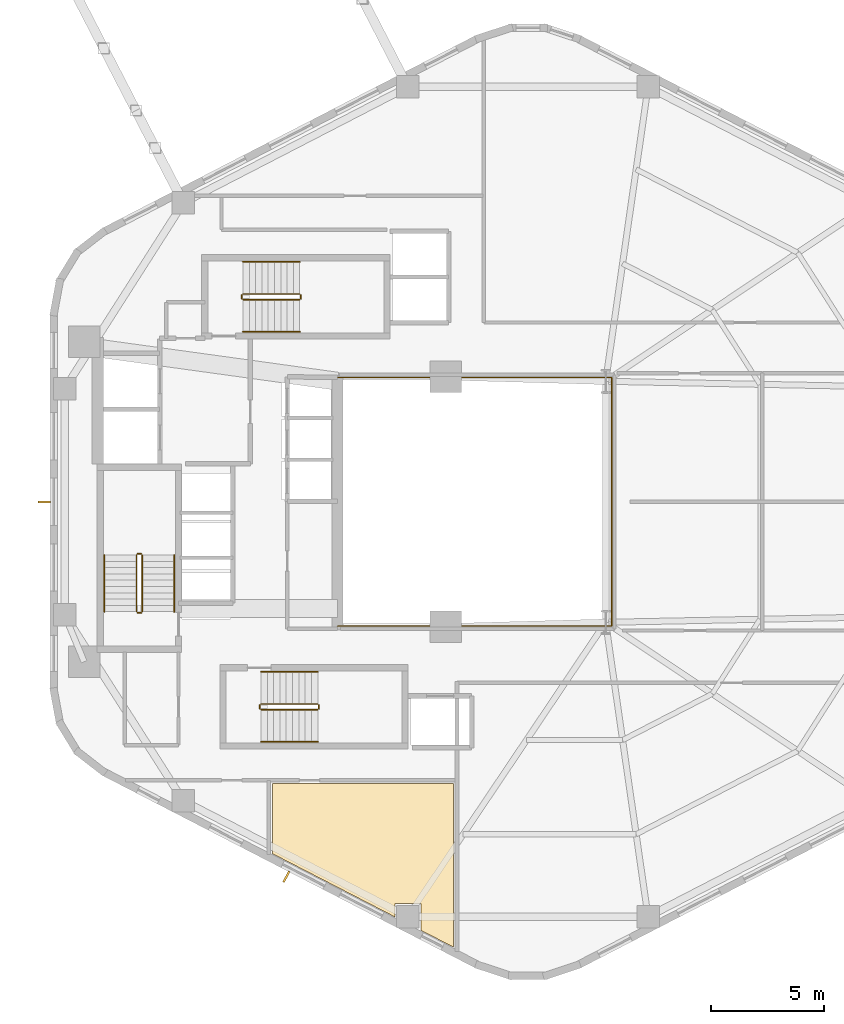
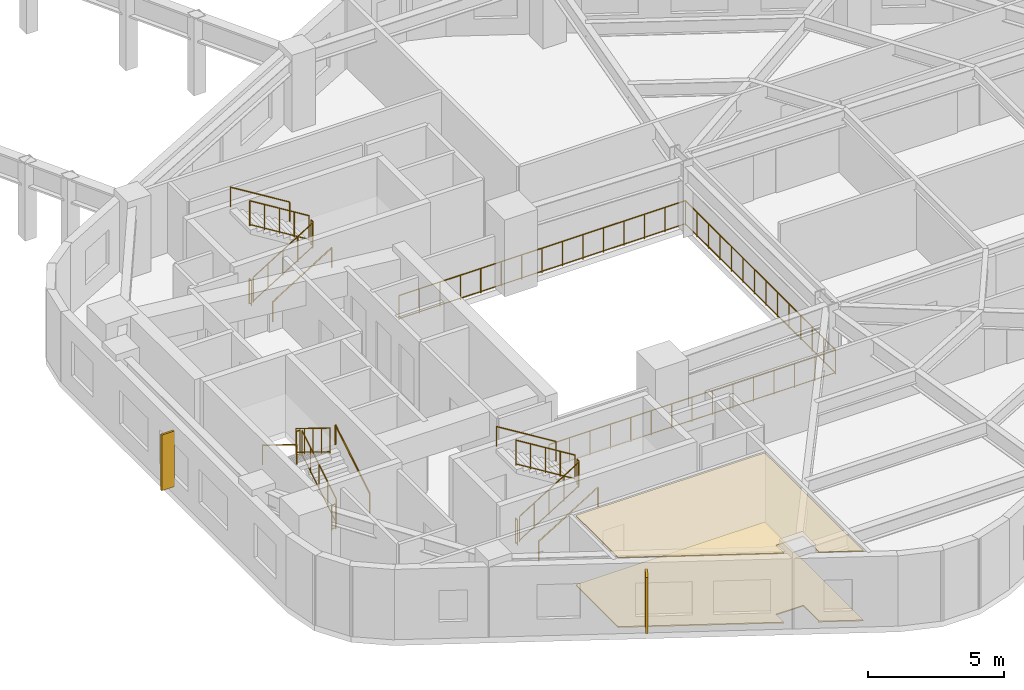
# One storey, part 6 of 6: 19 railings, 2 coverings, 2 shading devices.
"""IFC4 building model written with IfcOpenShell, lengths in metres."""

from ifc_helpers import new_model, si_unit, direction, frame, origin, origin_2d, place, context, subcontext, project, spatial, polyline, rectangle, circle, outline, extrude, material, layer, layer_set, type_object, element, save


model = new_model("IFC4")

# Units and contexts
model_context = context("Model", 3, precision=1e-05, world=origin(), true_north=direction((0.0, 1.0)))
body_context = subcontext(model_context, "Body", "Model", "MODEL_VIEW")
ifc_project = project(units=[si_unit("LENGTHUNIT", "METRE"), si_unit("AREAUNIT", "SQUARE_METRE"), si_unit("VOLUMEUNIT", "CUBIC_METRE"), si_unit("PLANEANGLEUNIT", "RADIAN"), si_unit("MASSUNIT", "GRAM", prefix="KILO"), si_unit("THERMODYNAMICTEMPERATUREUNIT", "KELVIN"), si_unit("POWERUNIT", "WATT")], contexts=[model_context])

# Site, building, storey
site_placement = place(None, origin())
site = spatial("IfcSite", under=ifc_project, at=site_placement, CompositionType="ELEMENT")
building_placement = place(site_placement, origin())
building = spatial("IfcBuilding", under=site, at=building_placement, Name="Skarre Station Tower", CompositionType="ELEMENT")
storey_placement = place(building_placement, frame((0.0, 0.0, 136.050048828125)))
storey = spatial("IfcBuildingStorey", under=building, at=storey_placement, Name="L36", CompositionType="ELEMENT", Elevation=136.050048828125)

# Railing
ifc_material_1 = material(Name="Bronze Anodized Steel & Laminated Glass Balustrade", Category="steel")
railing_type_1 = type_object("IfcRailingType", Name="Atrium Void & Mezzanine Guard Balustrade 1120", PredefinedType="GUARDRAIL", material=ifc_material_1)
railing_1_placement = place(storey_placement, frame((27.550048828125, 18.47998046875, 0.0)))
element("IfcRailing", 1, at=railing_1_placement, inside=storey, type_object=railing_type_1, Name="L36 Atrium Void Guard Balustrade", PredefinedType="GUARDRAIL", context=body_context, shape_type="SweptSolid", body=[
    extrude(circle(Radius=0.02392578125, at=origin_2d()), frame((0.0, 0.0, 1.09619140625), z_axis=(1.0, 0.0, 0.0), x_axis=(0.0, 1.0, 0.0)), (0.0, 0.0, 1.0), 12.169921875),
    extrude(circle(Radius=0.02099609375, at=origin_2d()), frame((0.0, 0.0, 0.06005859375), z_axis=(1.0, 0.0, 0.0), x_axis=(0.0, 1.0, 0.0)), (0.0, 0.0, 1.0), 12.169921875),
    extrude(circle(Radius=0.02392578125, at=origin_2d()), frame((12.169921875, 0.0, 1.09619140625), z_axis=(0.0, 1.0, 0.0), x_axis=(-1.0, 0.0, 0.0)), (0.0, 0.0, 1.0), 11.0400390625),
    extrude(circle(Radius=0.02099609375, at=origin_2d()), frame((12.169921875, 0.0, 0.06005859375), z_axis=(0.0, 1.0, 0.0), x_axis=(-1.0, 0.0, 0.0)), (0.0, 0.0, 1.0), 11.0400390625),
    extrude(circle(Radius=0.02392578125, at=origin_2d()), frame((12.169921875, 11.0400390625, 1.09619140625), z_axis=(-1.0, 0.0, 0.0), x_axis=(0.0, -1.0, 0.0)), (0.0, 0.0, 1.0), 12.169921875),
    extrude(circle(Radius=0.02099609375, at=origin_2d()), frame((12.169921875, 11.0400390625, 0.06005859375), z_axis=(-1.0, 0.0, 0.0), x_axis=(0.0, -1.0, 0.0)), (0.0, 0.0, 1.0), 12.169921875),
    extrude(circle(Radius=0.02099609375, at=origin_2d()), origin(), (0.0, 0.0, 1.0), 1.072021484375),
    extrude(circle(Radius=0.02099609375, at=origin_2d()), frame((0.869384765625, 0.0, 0.0)), (0.0, 0.0, 1.0), 1.072021484375),
    extrude(circle(Radius=0.02099609375, at=origin_2d()), frame((1.738525390625, 0.0, 0.0)), (0.0, 0.0, 1.0), 1.072021484375),
    extrude(circle(Radius=0.02099609375, at=origin_2d()), frame((2.60791015625, 0.0, 0.0)), (0.0, 0.0, 1.0), 1.072021484375),
    extrude(circle(Radius=0.02099609375, at=origin_2d()), frame((3.47705078125, 0.0, 0.0)), (0.0, 0.0, 1.0), 1.072021484375),
    extrude(circle(Radius=0.02099609375, at=origin_2d()), frame((4.346435546875, 0.0, 0.0)), (0.0, 0.0, 1.0), 1.072021484375),
    extrude(circle(Radius=0.02099609375, at=origin_2d()), frame((5.215576171875, 0.0, 0.0)), (0.0, 0.0, 1.0), 1.072021484375),
    extrude(circle(Radius=0.02099609375, at=origin_2d()), frame((6.0849609375, 0.0, 0.0)), (0.0, 0.0, 1.0), 1.072021484375),
    extrude(circle(Radius=0.02099609375, at=origin_2d()), frame((6.954345703125, 0.0, 0.0)), (0.0, 0.0, 1.0), 1.072021484375),
    extrude(circle(Radius=0.02099609375, at=origin_2d()), frame((7.823486328125, 0.0, 0.0)), (0.0, 0.0, 1.0), 1.072021484375),
    extrude(circle(Radius=0.02099609375, at=origin_2d()), frame((8.69287109375, 0.0, 0.0)), (0.0, 0.0, 1.0), 1.072021484375),
    extrude(circle(Radius=0.02099609375, at=origin_2d()), frame((9.56201171875, 0.0, 0.0)), (0.0, 0.0, 1.0), 1.072021484375),
    extrude(circle(Radius=0.02099609375, at=origin_2d()), frame((10.431396484375, 0.0, 0.0)), (0.0, 0.0, 1.0), 1.072021484375),
    extrude(circle(Radius=0.02099609375, at=origin_2d()), frame((11.300537109375, 0.0, 0.0)), (0.0, 0.0, 1.0), 1.072021484375),
    extrude(circle(Radius=0.02099609375, at=origin_2d()), frame((12.169921875, 0.0, 0.0)), (0.0, 0.0, 1.0), 1.072021484375),
    extrude(circle(Radius=0.02099609375, at=origin_2d()), frame((12.169921875, 0.84912109375, 0.0)), (0.0, 0.0, 1.0), 1.072021484375),
    extrude(circle(Radius=0.02099609375, at=origin_2d()), frame((12.169921875, 1.698486328125, 0.0)), (0.0, 0.0, 1.0), 1.072021484375),
    extrude(circle(Radius=0.02099609375, at=origin_2d()), frame((12.169921875, 2.547607421875, 0.0)), (0.0, 0.0, 1.0), 1.072021484375),
    extrude(circle(Radius=0.02099609375, at=origin_2d()), frame((12.169921875, 3.39697265625, 0.0)), (0.0, 0.0, 1.0), 1.072021484375),
    extrude(circle(Radius=0.02099609375, at=origin_2d()), frame((12.169921875, 4.24609375, 0.0)), (0.0, 0.0, 1.0), 1.072021484375),
    extrude(circle(Radius=0.02099609375, at=origin_2d()), frame((12.169921875, 5.095458984375, 0.0)), (0.0, 0.0, 1.0), 1.072021484375),
    extrude(circle(Radius=0.02099609375, at=origin_2d()), frame((12.169921875, 5.944580078125, 0.0)), (0.0, 0.0, 1.0), 1.072021484375),
    extrude(circle(Radius=0.02099609375, at=origin_2d()), frame((12.169921875, 6.7939453125, 0.0)), (0.0, 0.0, 1.0), 1.072021484375),
    extrude(circle(Radius=0.02099609375, at=origin_2d()), frame((12.169921875, 7.64306640625, 0.0)), (0.0, 0.0, 1.0), 1.072021484375),
    extrude(circle(Radius=0.02099609375, at=origin_2d()), frame((12.169921875, 8.492431640625, 0.0)), (0.0, 0.0, 1.0), 1.072021484375),
    extrude(circle(Radius=0.02099609375, at=origin_2d()), frame((12.169921875, 9.341552734375, 0.0)), (0.0, 0.0, 1.0), 1.072021484375),
    extrude(circle(Radius=0.02099609375, at=origin_2d()), frame((12.169921875, 10.19091796875, 0.0)), (0.0, 0.0, 1.0), 1.072021484375),
    extrude(circle(Radius=0.02099609375, at=origin_2d()), frame((12.169921875, 11.0400390625, 0.0)), (0.0, 0.0, 1.0), 1.072021484375),
    extrude(circle(Radius=0.02099609375, at=origin_2d()), frame((11.300537109375, 11.0400390625, 0.0)), (0.0, 0.0, 1.0), 1.072021484375),
    extrude(circle(Radius=0.02099609375, at=origin_2d()), frame((10.431396484375, 11.0400390625, 0.0)), (0.0, 0.0, 1.0), 1.072021484375),
    extrude(circle(Radius=0.02099609375, at=origin_2d()), frame((9.56201171875, 11.0400390625, 0.0)), (0.0, 0.0, 1.0), 1.072021484375),
    extrude(circle(Radius=0.02099609375, at=origin_2d()), frame((8.69287109375, 11.0400390625, 0.0)), (0.0, 0.0, 1.0), 1.072021484375),
    extrude(circle(Radius=0.02099609375, at=origin_2d()), frame((7.823486328125, 11.0400390625, 0.0)), (0.0, 0.0, 1.0), 1.072021484375),
    extrude(circle(Radius=0.02099609375, at=origin_2d()), frame((6.954345703125, 11.0400390625, 0.0)), (0.0, 0.0, 1.0), 1.072021484375),
    extrude(circle(Radius=0.02099609375, at=origin_2d()), frame((6.0849609375, 11.0400390625, 0.0)), (0.0, 0.0, 1.0), 1.072021484375),
    extrude(circle(Radius=0.02099609375, at=origin_2d()), frame((5.215576171875, 11.0400390625, 0.0)), (0.0, 0.0, 1.0), 1.072021484375),
    extrude(circle(Radius=0.02099609375, at=origin_2d()), frame((4.346435546875, 11.0400390625, 0.0)), (0.0, 0.0, 1.0), 1.072021484375),
    extrude(circle(Radius=0.02099609375, at=origin_2d()), frame((3.47705078125, 11.0400390625, 0.0)), (0.0, 0.0, 1.0), 1.072021484375),
    extrude(circle(Radius=0.02099609375, at=origin_2d()), frame((2.60791015625, 11.0400390625, 0.0)), (0.0, 0.0, 1.0), 1.072021484375),
    extrude(circle(Radius=0.02099609375, at=origin_2d()), frame((1.738525390625, 11.0400390625, 0.0)), (0.0, 0.0, 1.0), 1.072021484375),
    extrude(circle(Radius=0.02099609375, at=origin_2d()), frame((0.869384765625, 11.0400390625, 0.0)), (0.0, 0.0, 1.0), 1.072021484375),
    extrude(circle(Radius=0.02099609375, at=origin_2d()), frame((0.0, 11.0400390625, 0.0)), (0.0, 0.0, 1.0), 1.072021484375),
])

# Coverings
ifc_material_2 = material(Name="Honed Jura Limestone & Calcium-Sulfate Access Tile", Category="masonry")
ifc_layer_1 = layer(ifc_material_2, 0.050048828125, Name="Honed Jura Limestone & Calcium-Sulfate Access Tile")
ifc_layer_set_1 = layer_set([ifc_layer_1], Name="Honed Jura Limestone & Calcium-Sulfate Access Tile")
covering_type_1 = type_object("IfcCoveringType", Name="Honed Limestone & Raised Access Floor Finish 50", PredefinedType="FLOORING", material=ifc_layer_set_1)
covering_1_placement = place(storey_placement, origin())
element("IfcCovering", 2, at=covering_1_placement, inside=storey, type_object=covering_type_1, Name="L36 Limestone Access Flooring 1", PredefinedType="FLOORING", context=body_context, shape_type="SweptSolid", body=[
    extrude(outline(polyline([(24.659912109375, 8.3798828125), (30.089111328125, 5.577880859375), (30.089111328125, 6.162109375), (31.2490234375, 6.162109375), (31.2490234375, 5.001953125), (31.205078125, 5.001953125), (32.68994140625, 4.235107421875), (32.68994140625, 11.5), (24.659912109375, 11.5), (24.659912109375, 8.3798828125)])), origin(), (0.0, 0.0, 1.0), 0.050048828125),
])
ifc_material_3 = material(Name="Perforated Nordic Birch Veneer & Mineral Wool", Category="wood")
ifc_layer_2 = layer(ifc_material_3, 0.044921875, Name="Perforated Nordic Birch Veneer & Mineral Wool")
ifc_layer_set_2 = layer_set([ifc_layer_2], Name="Perforated Nordic Birch Veneer & Mineral Wool")
covering_type_2 = type_object("IfcCoveringType", Name="Nordic Birch Slatted Acoustic Suspended Ceiling 45", PredefinedType="CEILING", material=ifc_layer_set_2)
covering_2_placement = place(storey_placement, frame((0.0, 0.0, 3.114990234375)))
element("IfcCovering", 3, at=covering_2_placement, inside=storey, type_object=covering_type_2, Name="L36 Acoustic Birch Ceiling 1", PredefinedType="CEILING", context=body_context, shape_type="SweptSolid", body=[
    extrude(outline(polyline([(24.659912109375, 8.3798828125), (30.089111328125, 5.577880859375), (30.089111328125, 6.162109375), (31.2490234375, 6.162109375), (31.2490234375, 5.001953125), (31.205078125, 5.001953125), (32.68994140625, 4.235107421875), (32.68994140625, 11.5), (24.659912109375, 11.5), (24.659912109375, 8.3798828125)])), origin(), (0.0, 0.0, 1.0), 0.044921875),
])

# Shading devices
ifc_material_4 = material(Name="Bronze Anodized Extruded Aluminium 6063-T6", Category="aluminium")
shading_device_type = type_object("IfcShadingDeviceType", Name="Nordic Bronze Vertical Solar Fin 550x90", PredefinedType="SHUTTER", material=ifc_material_4)
for number, where, z_axis, x_axis, name in (
    (4, (14.531982421875, 24.0, 0.349853515625), (0.0, 0.0, 1.0), (-1.0, 0.0, 0.0), "L36 Facet 2 Bronze Solar Fin"),
    (5, (25.27587890625, 7.35302734375, 0.349853515625), (0.0, 0.0, 1.0), (-0.458649554484, -0.888617232655, 0.0), "L36 Facet 3 Bronze Solar Fin"),
):
    element("IfcShadingDevice", number, at=place(storey_placement, frame(where, z_axis=z_axis, x_axis=x_axis)), inside=storey, type_object=shading_device_type, Name=name, PredefinedType="SHUTTER", context=body_context, shape_type="SweptSolid", body=[
        extrude(rectangle(XDim=0.550048828125, YDim=0.090087890625, at=origin_2d()), origin(), (0.0, 0.0, 1.0), 2.5),
    ])

# Railings
ifc_material_5 = material(Name="Powder-Coated Tubular Steel", Category="steel")
railing_type_2 = type_object("IfcRailingType", Name="Painted Steel Ramp & Stair Handrail 920", PredefinedType="HANDRAIL", material=ifc_material_5)
railing_2_placement = place(storey_placement, frame((20.300048828125, 19.1201171875, 0.17236328125)))
element("IfcRailing", 6, at=railing_2_placement, inside=storey, type_object=railing_type_2, Name="L36 ST-1 stair handrail 1", PredefinedType="HANDRAIL", context=body_context, shape_type="SweptSolid", body=[
    extrude(circle(Radius=0.02392578125, at=origin_2d()), frame((0.0, 0.0, 0.8759765625), z_axis=(0.0, 0.851377800117, 0.52455299205), x_axis=(-1.0, 0.0, 0.0)), (0.0, 0.0, 1.0), 2.959716796875),
    extrude(circle(Radius=0.02099609375, at=origin_2d()), origin(), (0.0, 0.0, 1.0), 0.851806640625),
    extrude(circle(Radius=0.02099609375, at=origin_2d()), frame((0.0, 2.519775390625, 1.552490234375)), (0.0, 0.0, 1.0), 0.851806640625),
])
railing_3_placement = place(storey_placement, frame((17.199951171875, 21.639892578125, 1.8974609375)))
element("IfcRailing", 7, at=railing_3_placement, inside=storey, type_object=railing_type_2, Name="L36 ST-1 stair handrail 2", PredefinedType="HANDRAIL", context=body_context, shape_type="SweptSolid", body=[
    extrude(circle(Radius=0.02392578125, at=origin_2d()), frame((0.0, 0.0, 0.8759765625), z_axis=(0.0, -0.851377800117, 0.52455299205), x_axis=(1.0, 0.0, 0.0)), (0.0, 0.0, 1.0), 2.959716796875),
    extrude(circle(Radius=0.02099609375, at=origin_2d()), origin(), (0.0, 0.0, 1.0), 0.851806640625),
    extrude(circle(Radius=0.02099609375, at=origin_2d()), frame((0.0, -2.519775390625, 1.552490234375)), (0.0, 0.0, 1.0), 0.851806640625),
])
railing_4_placement = place(storey_placement, frame((24.14990234375, 13.35009765625, 0.17236328125)))
element("IfcRailing", 8, at=railing_4_placement, inside=storey, type_object=railing_type_2, Name="L36 ST-2 stair handrail 1", PredefinedType="HANDRAIL", context=body_context, shape_type="SweptSolid", body=[
    extrude(circle(Radius=0.02392578125, at=origin_2d()), frame((0.0, 0.0, 0.8759765625), z_axis=(0.851400495292, 0.0, 0.524516154772), x_axis=(0.0, 1.0, 0.0)), (0.0, 0.0, 1.0), 2.9599609375),
    extrude(circle(Radius=0.02099609375, at=origin_2d()), origin(), (0.0, 0.0, 1.0), 0.851806640625),
    extrude(circle(Radius=0.02099609375, at=origin_2d()), frame((2.52001953125, 0.0, 1.552490234375)), (0.0, 0.0, 1.0), 0.851806640625),
])
railing_5_placement = place(storey_placement, frame((26.669921875, 16.449951171875, 1.8974609375)))
element("IfcRailing", 9, at=railing_5_placement, inside=storey, type_object=railing_type_2, Name="L36 ST-2 stair handrail 2", PredefinedType="HANDRAIL", context=body_context, shape_type="SweptSolid", body=[
    extrude(circle(Radius=0.02392578125, at=origin_2d()), frame((0.0, 0.0, 0.8759765625), z_axis=(-0.851400495292, 0.0, 0.524516154772), x_axis=(0.0, -1.0, 0.0)), (0.0, 0.0, 1.0), 2.9599609375),
    extrude(circle(Radius=0.02099609375, at=origin_2d()), origin(), (0.0, 0.0, 1.0), 0.851806640625),
    extrude(circle(Radius=0.02099609375, at=origin_2d()), frame((-2.52001953125, 0.0, 1.552490234375)), (0.0, 0.0, 1.0), 0.851806640625),
])
railing_6_placement = place(storey_placement, frame((23.35009765625, 31.550048828125, 0.17236328125)))
element("IfcRailing", 10, at=railing_6_placement, inside=storey, type_object=railing_type_2, Name="L36 ST-3 stair handrail 1", PredefinedType="HANDRAIL", context=body_context, shape_type="SweptSolid", body=[
    extrude(circle(Radius=0.02392578125, at=origin_2d()), frame((0.0, 0.0, 0.8759765625), z_axis=(0.851400495292, 0.0, 0.524516154772), x_axis=(0.0, 1.0, 0.0)), (0.0, 0.0, 1.0), 2.9599609375),
    extrude(circle(Radius=0.02099609375, at=origin_2d()), origin(), (0.0, 0.0, 1.0), 0.851806640625),
    extrude(circle(Radius=0.02099609375, at=origin_2d()), frame((2.52001953125, 0.0, 1.552490234375)), (0.0, 0.0, 1.0), 0.851806640625),
])
railing_7_placement = place(storey_placement, frame((25.8701171875, 34.64990234375, 1.8974609375)))
element("IfcRailing", 11, at=railing_7_placement, inside=storey, type_object=railing_type_2, Name="L36 ST-3 stair handrail 2", PredefinedType="HANDRAIL", context=body_context, shape_type="SweptSolid", body=[
    extrude(circle(Radius=0.02392578125, at=origin_2d()), frame((0.0, 0.0, 0.8759765625), z_axis=(-0.851400495292, 0.0, 0.524516154772), x_axis=(0.0, -1.0, 0.0)), (0.0, 0.0, 1.0), 2.9599609375),
    extrude(circle(Radius=0.02099609375, at=origin_2d()), origin(), (0.0, 0.0, 1.0), 0.851806640625),
    extrude(circle(Radius=0.02099609375, at=origin_2d()), frame((-2.52001953125, 0.0, 1.552490234375)), (0.0, 0.0, 1.0), 0.851806640625),
])
railing_type_3 = type_object("IfcRailingType", Name="Painted Steel Stairwell Guardrail 1100", PredefinedType="GUARDRAIL", material=ifc_material_5)
railing_8_placement = place(storey_placement, frame((18.8798828125, 19.1201171875, 0.17236328125)))
element("IfcRailing", 12, at=railing_8_placement, inside=storey, type_object=railing_type_3, Name="L36 ST-1 stair guard 1", PredefinedType="GUARDRAIL", context=body_context, shape_type="SweptSolid", body=[
    extrude(circle(Radius=0.02392578125, at=origin_2d()), frame((0.0, 0.0, 1.1259765625), z_axis=(0.0, 0.851377800117, 0.52455299205), x_axis=(-1.0, 0.0, 0.0)), (0.0, 0.0, 1.0), 2.959716796875),
    extrude(circle(Radius=0.02099609375, at=origin_2d()), frame((0.0, 0.0, 0.06005859375), z_axis=(0.0, 0.851377800117, 0.52455299205), x_axis=(-1.0, 0.0, 0.0)), (0.0, 0.0, 1.0), 2.959716796875),
    extrude(circle(Radius=0.02099609375, at=origin_2d()), origin(), (0.0, 0.0, 1.0), 1.101806640625),
    extrude(circle(Radius=0.02099609375, at=origin_2d()), frame((0.0, 0.6298828125, 0.38818359375)), (0.0, 0.0, 1.0), 1.101806640625),
    extrude(circle(Radius=0.02099609375, at=origin_2d()), frame((0.0, 1.259765625, 0.7763671875)), (0.0, 0.0, 1.0), 1.101806640625),
    extrude(circle(Radius=0.02099609375, at=origin_2d()), frame((0.0, 1.889892578125, 1.164306640625)), (0.0, 0.0, 1.0), 1.101806640625),
    extrude(circle(Radius=0.02099609375, at=origin_2d()), frame((0.0, 2.519775390625, 1.552490234375)), (0.0, 0.0, 1.0), 1.101806640625),
])
railing_9_placement = place(storey_placement, frame((18.830078125, 21.68994140625, 1.724853515625)))
element("IfcRailing", 13, at=railing_9_placement, inside=storey, type_object=railing_type_3, Name="L36 ST-1 stair guard 2", PredefinedType="GUARDRAIL", context=body_context, shape_type="SweptSolid", body=[
    extrude(circle(Radius=0.02392578125, at=origin_2d()), frame((0.0, 0.0, 1.1259765625), z_axis=(-1.0, 0.0, 0.0), x_axis=(0.0, -1.0, 0.0)), (0.0, 0.0, 1.0), 0.16015625),
    extrude(circle(Radius=0.02099609375, at=origin_2d()), frame((0.0, 0.0, 0.06005859375), z_axis=(-1.0, 0.0, 0.0), x_axis=(0.0, -1.0, 0.0)), (0.0, 0.0, 1.0), 0.16015625),
    extrude(circle(Radius=0.02099609375, at=origin_2d()), origin(), (0.0, 0.0, 1.0), 1.101806640625),
    extrude(circle(Radius=0.02099609375, at=origin_2d()), frame((-0.16015625, 0.0, 0.0)), (0.0, 0.0, 1.0), 1.101806640625),
])
railing_10_placement = place(storey_placement, frame((18.6201171875, 21.639892578125, 1.8974609375)))
element("IfcRailing", 14, at=railing_10_placement, inside=storey, type_object=railing_type_3, Name="L36 ST-1 stair guard 3", PredefinedType="GUARDRAIL", context=body_context, shape_type="SweptSolid", body=[
    extrude(circle(Radius=0.02392578125, at=origin_2d()), frame((0.0, 0.0, 1.1259765625), z_axis=(0.0, -0.851377800117, 0.52455299205), x_axis=(1.0, 0.0, 0.0)), (0.0, 0.0, 1.0), 2.959716796875),
    extrude(circle(Radius=0.02099609375, at=origin_2d()), frame((0.0, 0.0, 0.06005859375), z_axis=(0.0, -0.851377800117, 0.52455299205), x_axis=(1.0, 0.0, 0.0)), (0.0, 0.0, 1.0), 2.959716796875),
    extrude(circle(Radius=0.02099609375, at=origin_2d()), origin(), (0.0, 0.0, 1.0), 1.101806640625),
    extrude(circle(Radius=0.02099609375, at=origin_2d()), frame((0.0, -0.6298828125, 0.38818359375)), (0.0, 0.0, 1.0), 1.101806640625),
    extrude(circle(Radius=0.02099609375, at=origin_2d()), frame((0.0, -1.259765625, 0.7763671875)), (0.0, 0.0, 1.0), 1.101806640625),
    extrude(circle(Radius=0.02099609375, at=origin_2d()), frame((0.0, -1.889892578125, 1.164306640625)), (0.0, 0.0, 1.0), 1.101806640625),
    extrude(circle(Radius=0.02099609375, at=origin_2d()), frame((0.0, -2.519775390625, 1.552490234375)), (0.0, 0.0, 1.0), 1.101806640625),
])
railing_11_placement = place(storey_placement, frame((18.830078125, 19.070068359375, 0.0)))
element("IfcRailing", 15, at=railing_11_placement, inside=storey, type_object=railing_type_3, Name="L36 ST-1 stair guard 4", PredefinedType="GUARDRAIL", context=body_context, shape_type="SweptSolid", body=[
    extrude(circle(Radius=0.02392578125, at=origin_2d()), frame((0.0, 0.0, 1.1259765625), z_axis=(-1.0, 0.0, 0.0), x_axis=(0.0, -1.0, 0.0)), (0.0, 0.0, 1.0), 0.16015625),
    extrude(circle(Radius=0.02099609375, at=origin_2d()), frame((0.0, 0.0, 0.06005859375), z_axis=(-1.0, 0.0, 0.0), x_axis=(0.0, -1.0, 0.0)), (0.0, 0.0, 1.0), 0.16015625),
    extrude(circle(Radius=0.02099609375, at=origin_2d()), origin(), (0.0, 0.0, 1.0), 1.101806640625),
    extrude(circle(Radius=0.02099609375, at=origin_2d()), frame((-0.16015625, 0.0, 0.0)), (0.0, 0.0, 1.0), 1.101806640625),
])
railing_12_placement = place(storey_placement, frame((24.14990234375, 14.77001953125, 0.17236328125)))
element("IfcRailing", 16, at=railing_12_placement, inside=storey, type_object=railing_type_3, Name="L36 ST-2 stair guard 1", PredefinedType="GUARDRAIL", context=body_context, shape_type="SweptSolid", body=[
    extrude(circle(Radius=0.02392578125, at=origin_2d()), frame((0.0, 0.0, 1.1259765625), z_axis=(0.851400495292, 0.0, 0.524516154772), x_axis=(0.0, 1.0, 0.0)), (0.0, 0.0, 1.0), 2.9599609375),
    extrude(circle(Radius=0.02099609375, at=origin_2d()), frame((0.0, 0.0, 0.06005859375), z_axis=(0.851400495292, 0.0, 0.524516154772), x_axis=(0.0, 1.0, 0.0)), (0.0, 0.0, 1.0), 2.9599609375),
    extrude(circle(Radius=0.02099609375, at=origin_2d()), origin(), (0.0, 0.0, 1.0), 1.101806640625),
    extrude(circle(Radius=0.02099609375, at=origin_2d()), frame((0.6298828125, 0.0, 0.38818359375)), (0.0, 0.0, 1.0), 1.101806640625),
    extrude(circle(Radius=0.02099609375, at=origin_2d()), frame((1.260009765625, 0.0, 0.7763671875)), (0.0, 0.0, 1.0), 1.101806640625),
    extrude(circle(Radius=0.02099609375, at=origin_2d()), frame((1.89013671875, 0.0, 1.164306640625)), (0.0, 0.0, 1.0), 1.101806640625),
    extrude(circle(Radius=0.02099609375, at=origin_2d()), frame((2.52001953125, 0.0, 1.552490234375)), (0.0, 0.0, 1.0), 1.101806640625),
])
railing_13_placement = place(storey_placement, frame((26.719970703125, 14.820068359375, 1.724853515625)))
element("IfcRailing", 17, at=railing_13_placement, inside=storey, type_object=railing_type_3, Name="L36 ST-2 stair guard 2", PredefinedType="GUARDRAIL", context=body_context, shape_type="SweptSolid", body=[
    extrude(circle(Radius=0.02392578125, at=origin_2d()), frame((0.0, 0.0, 1.1259765625), z_axis=(0.0, 1.0, 0.0), x_axis=(-1.0, 0.0, 0.0)), (0.0, 0.0, 1.0), 0.159912109375),
    extrude(circle(Radius=0.02099609375, at=origin_2d()), frame((0.0, 0.0, 0.06005859375), z_axis=(0.0, 1.0, 0.0), x_axis=(-1.0, 0.0, 0.0)), (0.0, 0.0, 1.0), 0.159912109375),
    extrude(circle(Radius=0.02099609375, at=origin_2d()), origin(), (0.0, 0.0, 1.0), 1.101806640625),
    extrude(circle(Radius=0.02099609375, at=origin_2d()), frame((0.0, 0.159912109375, 0.0)), (0.0, 0.0, 1.0), 1.101806640625),
])
railing_14_placement = place(storey_placement, frame((26.669921875, 15.030029296875, 1.8974609375)))
element("IfcRailing", 18, at=railing_14_placement, inside=storey, type_object=railing_type_3, Name="L36 ST-2 stair guard 3", PredefinedType="GUARDRAIL", context=body_context, shape_type="SweptSolid", body=[
    extrude(circle(Radius=0.02392578125, at=origin_2d()), frame((0.0, 0.0, 1.1259765625), z_axis=(-0.851400495292, 0.0, 0.524516154772), x_axis=(0.0, -1.0, 0.0)), (0.0, 0.0, 1.0), 2.9599609375),
    extrude(circle(Radius=0.02099609375, at=origin_2d()), frame((0.0, 0.0, 0.06005859375), z_axis=(-0.851400495292, 0.0, 0.524516154772), x_axis=(0.0, -1.0, 0.0)), (0.0, 0.0, 1.0), 2.9599609375),
    extrude(circle(Radius=0.02099609375, at=origin_2d()), origin(), (0.0, 0.0, 1.0), 1.101806640625),
    extrude(circle(Radius=0.02099609375, at=origin_2d()), frame((-0.6298828125, 0.0, 0.38818359375)), (0.0, 0.0, 1.0), 1.101806640625),
    extrude(circle(Radius=0.02099609375, at=origin_2d()), frame((-1.260009765625, 0.0, 0.7763671875)), (0.0, 0.0, 1.0), 1.101806640625),
    extrude(circle(Radius=0.02099609375, at=origin_2d()), frame((-1.89013671875, 0.0, 1.164306640625)), (0.0, 0.0, 1.0), 1.101806640625),
    extrude(circle(Radius=0.02099609375, at=origin_2d()), frame((-2.52001953125, 0.0, 1.552490234375)), (0.0, 0.0, 1.0), 1.101806640625),
])
railing_15_placement = place(storey_placement, frame((24.10009765625, 14.820068359375, 0.0)))
element("IfcRailing", 19, at=railing_15_placement, inside=storey, type_object=railing_type_3, Name="L36 ST-2 stair guard 4", PredefinedType="GUARDRAIL", context=body_context, shape_type="SweptSolid", body=[
    extrude(circle(Radius=0.02392578125, at=origin_2d()), frame((0.0, 0.0, 1.1259765625), z_axis=(0.0, 1.0, 0.0), x_axis=(-1.0, 0.0, 0.0)), (0.0, 0.0, 1.0), 0.159912109375),
    extrude(circle(Radius=0.02099609375, at=origin_2d()), frame((0.0, 0.0, 0.06005859375), z_axis=(0.0, 1.0, 0.0), x_axis=(-1.0, 0.0, 0.0)), (0.0, 0.0, 1.0), 0.159912109375),
    extrude(circle(Radius=0.02099609375, at=origin_2d()), origin(), (0.0, 0.0, 1.0), 1.101806640625),
    extrude(circle(Radius=0.02099609375, at=origin_2d()), frame((0.0, 0.159912109375, 0.0)), (0.0, 0.0, 1.0), 1.101806640625),
])
railing_16_placement = place(storey_placement, frame((23.35009765625, 32.969970703125, 0.17236328125)))
element("IfcRailing", 20, at=railing_16_placement, inside=storey, type_object=railing_type_3, Name="L36 ST-3 stair guard 1", PredefinedType="GUARDRAIL", context=body_context, shape_type="SweptSolid", body=[
    extrude(circle(Radius=0.02392578125, at=origin_2d()), frame((0.0, 0.0, 1.1259765625), z_axis=(0.851400495292, 0.0, 0.524516154772), x_axis=(0.0, 1.0, 0.0)), (0.0, 0.0, 1.0), 2.9599609375),
    extrude(circle(Radius=0.02099609375, at=origin_2d()), frame((0.0, 0.0, 0.06005859375), z_axis=(0.851400495292, 0.0, 0.524516154772), x_axis=(0.0, 1.0, 0.0)), (0.0, 0.0, 1.0), 2.9599609375),
    extrude(circle(Radius=0.02099609375, at=origin_2d()), origin(), (0.0, 0.0, 1.0), 1.101806640625),
    extrude(circle(Radius=0.02099609375, at=origin_2d()), frame((0.6298828125, 0.0, 0.38818359375)), (0.0, 0.0, 1.0), 1.101806640625),
    extrude(circle(Radius=0.02099609375, at=origin_2d()), frame((1.260009765625, 0.0, 0.7763671875)), (0.0, 0.0, 1.0), 1.101806640625),
    extrude(circle(Radius=0.02099609375, at=origin_2d()), frame((1.89013671875, 0.0, 1.164306640625)), (0.0, 0.0, 1.0), 1.101806640625),
    extrude(circle(Radius=0.02099609375, at=origin_2d()), frame((2.52001953125, 0.0, 1.552490234375)), (0.0, 0.0, 1.0), 1.101806640625),
])
railing_17_placement = place(storey_placement, frame((25.919921875, 33.02001953125, 1.724853515625)))
element("IfcRailing", 21, at=railing_17_placement, inside=storey, type_object=railing_type_3, Name="L36 ST-3 stair guard 2", PredefinedType="GUARDRAIL", context=body_context, shape_type="SweptSolid", body=[
    extrude(circle(Radius=0.02392578125, at=origin_2d()), frame((0.0, 0.0, 1.1259765625), z_axis=(0.0, 1.0, 0.0), x_axis=(-1.0, 0.0, 0.0)), (0.0, 0.0, 1.0), 0.159912109375),
    extrude(circle(Radius=0.02099609375, at=origin_2d()), frame((0.0, 0.0, 0.06005859375), z_axis=(0.0, 1.0, 0.0), x_axis=(-1.0, 0.0, 0.0)), (0.0, 0.0, 1.0), 0.159912109375),
    extrude(circle(Radius=0.02099609375, at=origin_2d()), origin(), (0.0, 0.0, 1.0), 1.101806640625),
    extrude(circle(Radius=0.02099609375, at=origin_2d()), frame((0.0, 0.159912109375, 0.0)), (0.0, 0.0, 1.0), 1.101806640625),
])
railing_18_placement = place(storey_placement, frame((25.8701171875, 33.22998046875, 1.8974609375)))
element("IfcRailing", 22, at=railing_18_placement, inside=storey, type_object=railing_type_3, Name="L36 ST-3 stair guard 3", PredefinedType="GUARDRAIL", context=body_context, shape_type="SweptSolid", body=[
    extrude(circle(Radius=0.02392578125, at=origin_2d()), frame((0.0, 0.0, 1.1259765625), z_axis=(-0.851400495292, 0.0, 0.524516154772), x_axis=(0.0, -1.0, 0.0)), (0.0, 0.0, 1.0), 2.9599609375),
    extrude(circle(Radius=0.02099609375, at=origin_2d()), frame((0.0, 0.0, 0.06005859375), z_axis=(-0.851400495292, 0.0, 0.524516154772), x_axis=(0.0, -1.0, 0.0)), (0.0, 0.0, 1.0), 2.9599609375),
    extrude(circle(Radius=0.02099609375, at=origin_2d()), origin(), (0.0, 0.0, 1.0), 1.101806640625),
    extrude(circle(Radius=0.02099609375, at=origin_2d()), frame((-0.6298828125, 0.0, 0.38818359375)), (0.0, 0.0, 1.0), 1.101806640625),
    extrude(circle(Radius=0.02099609375, at=origin_2d()), frame((-1.260009765625, 0.0, 0.7763671875)), (0.0, 0.0, 1.0), 1.101806640625),
    extrude(circle(Radius=0.02099609375, at=origin_2d()), frame((-1.89013671875, 0.0, 1.164306640625)), (0.0, 0.0, 1.0), 1.101806640625),
    extrude(circle(Radius=0.02099609375, at=origin_2d()), frame((-2.52001953125, 0.0, 1.552490234375)), (0.0, 0.0, 1.0), 1.101806640625),
])
railing_19_placement = place(storey_placement, frame((23.300048828125, 33.02001953125, 0.0)))
element("IfcRailing", 23, at=railing_19_placement, inside=storey, type_object=railing_type_3, Name="L36 ST-3 stair guard 4", PredefinedType="GUARDRAIL", context=body_context, shape_type="SweptSolid", body=[
    extrude(circle(Radius=0.02392578125, at=origin_2d()), frame((0.0, 0.0, 1.1259765625), z_axis=(0.0, 1.0, 0.0), x_axis=(-1.0, 0.0, 0.0)), (0.0, 0.0, 1.0), 0.159912109375),
    extrude(circle(Radius=0.02099609375, at=origin_2d()), frame((0.0, 0.0, 0.06005859375), z_axis=(0.0, 1.0, 0.0), x_axis=(-1.0, 0.0, 0.0)), (0.0, 0.0, 1.0), 0.159912109375),
    extrude(circle(Radius=0.02099609375, at=origin_2d()), origin(), (0.0, 0.0, 1.0), 1.101806640625),
    extrude(circle(Radius=0.02099609375, at=origin_2d()), frame((0.0, 0.159912109375, 0.0)), (0.0, 0.0, 1.0), 1.101806640625),
])

save(model, "model.ifc")
